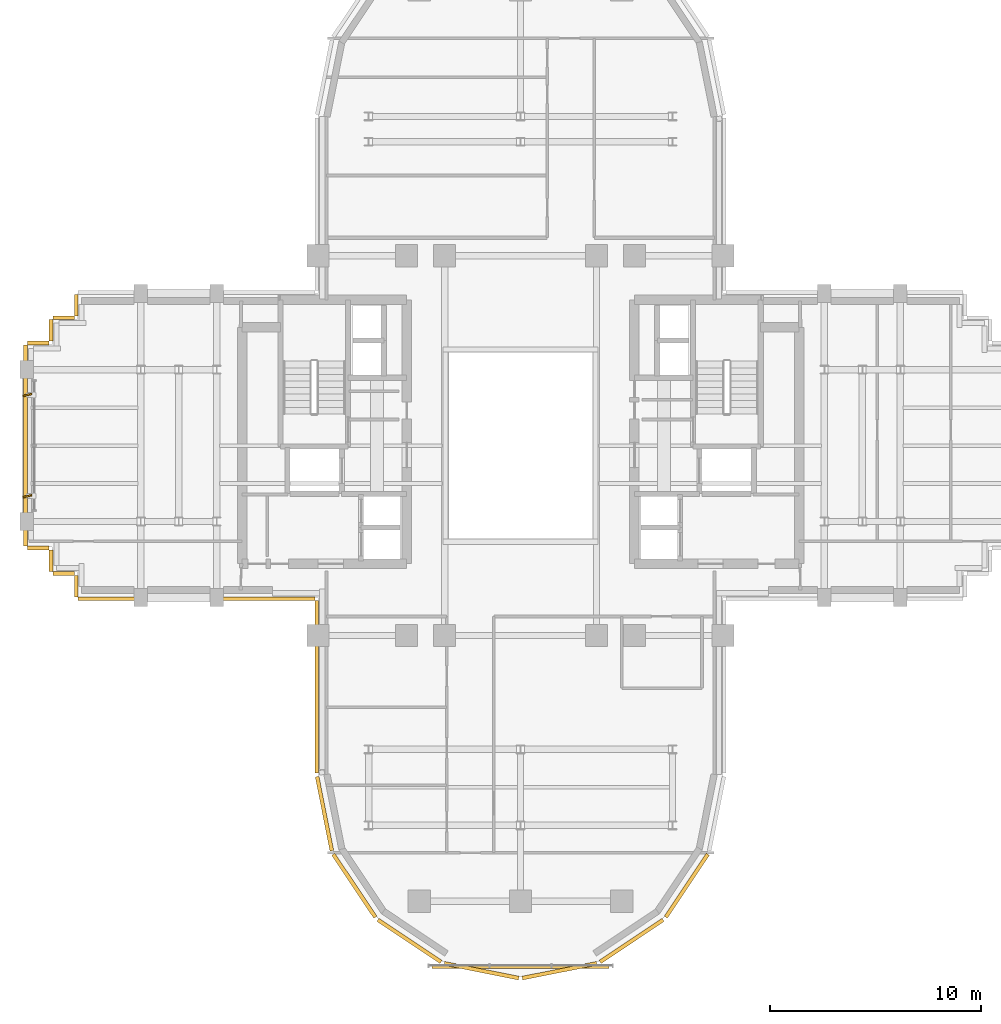
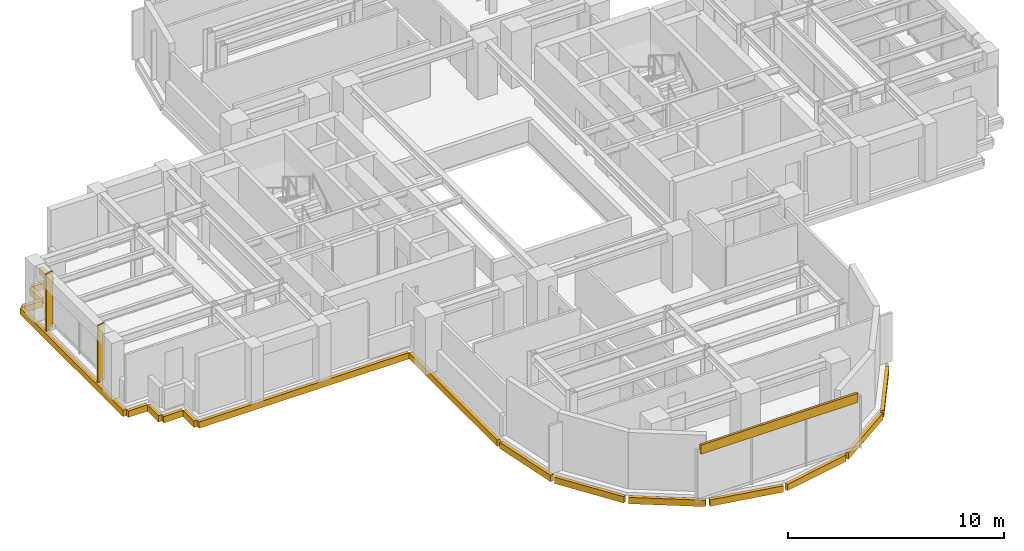
# One storey, part 12 of 14: 19 coverings, 2 shading devices.
"""IFC4 building model written with IfcOpenShell, lengths in metres."""

from ifc_helpers import new_model, si_unit, direction, frame, origin, origin_2d, place, context, subcontext, project, spatial, rectangle, extrude, source, transform, mapped, material, layer, layer_set, type_object, element, save


model = new_model("IFC4")

# Units and contexts
model_context = context("Model", 3, precision=1e-05, world=origin(), true_north=direction((0.0, 1.0)))
body_context = subcontext(model_context, "Body", "Model", "MODEL_VIEW")
ifc_project = project(units=[si_unit("LENGTHUNIT", "METRE"), si_unit("AREAUNIT", "SQUARE_METRE"), si_unit("VOLUMEUNIT", "CUBIC_METRE"), si_unit("PLANEANGLEUNIT", "RADIAN"), si_unit("MASSUNIT", "GRAM", prefix="KILO")], contexts=[model_context])

# Site, building, storey
site_placement = place(None, origin())
site = spatial("IfcSite", under=ifc_project, at=site_placement, CompositionType="ELEMENT")
building_placement = place(site_placement, origin())
building = spatial("IfcBuilding", under=site, at=building_placement, Name="Keilestroom Media Tower", CompositionType="ELEMENT")
storey_placement = place(building_placement, frame((0.0, 0.0, 127.800048828125)))
storey = spatial("IfcBuildingStorey", under=building, at=storey_placement, Name="L34", CompositionType="ELEMENT", Elevation=127.800048828125)

# Covering
ifc_material_1 = material(Name="Precast concrete C40/50", Category="concrete")
ifc_layer = layer(ifc_material_1, 0.1201171875)
ifc_layer_set = layer_set([ifc_layer], Name="Precast concrete C40/50")
covering_type = type_object("IfcCoveringType", Name="Exterior-Precast-Spandrel-Cladding-Panel-120", PredefinedType="CLADDING", material=ifc_layer_set)
shared_shape_1 = source(origin(), body_context, "Body", "SweptSolid", [
    extrude(rectangle(XDim=8.39990234375, YDim=0.1201171875, at=origin_2d()), origin(), (0.0, 0.0, 1.0), 0.52001953125),
])
covering_1_placement = place(storey_placement, frame((0.0, -24.719970703125, 2.68994140625), z_axis=(0.0, 0.0, 1.0), x_axis=(1.0, 0.0, 0.0)))
element("IfcCovering", 1, at=covering_1_placement, inside=storey, type_object=covering_type, Name="L34 Precast Spandrel Cladding S", PredefinedType="CLADDING", context=body_context, shape_type="MappedRepresentation", body=[
    mapped(shared_shape_1, transform((0.0, 0.0, 0.0), x_axis=(1.0, 0.0, 0.0), y_axis=(0.0, 1.0, 0.0), z_axis=(0.0, 0.0, 1.0), scale=1.0)),
])

# Shading devices
ifc_material_2 = material(Name="Bronze Anodised Aluminium", Category="aluminium")
shading_device_type = type_object("IfcShadingDeviceType", Name="Facade-Vertical-Sunshade-Fin-SHD-1", PredefinedType="USERDEFINED", material=ifc_material_2)
shared_shape_2 = source(origin(), body_context, "Body", "SweptSolid", [
    extrude(rectangle(XDim=0.419921875, YDim=0.080078125, at=origin_2d()), origin(), (0.0, 0.0, 1.0), 3.199951171875),
])
for number, where, z_axis, x_axis, name in (
    (2, (-23.3701171875, -2.39990234375, 0.0), (0.0, 0.0, 1.0), (0.972002025815, 0.234972470325, 0.0), "L34 Twisting Sunshade Fin SHD-1 041"),
    (3, (-23.3701171875, 2.39990234375, 0.0), (0.0, 0.0, 1.0), (0.972002025815, 0.234972470325, 0.0), "L34 Twisting Sunshade Fin SHD-1 042"),
):
    element("IfcShadingDevice", number, at=place(storey_placement, frame(where, z_axis=z_axis, x_axis=x_axis)), inside=storey, type_object=shading_device_type, Name=name, ObjectType="SUNSHADE", PredefinedType="USERDEFINED", context=body_context, shape_type="MappedRepresentation", body=[
        mapped(shared_shape_2, transform((0.0, 0.0, 0.0), x_axis=(1.0, 0.0, 0.0), y_axis=(0.0, 1.0, 0.0), z_axis=(0.0, 0.0, 1.0), scale=1.0)),
    ])

# Coverings
shared_shape_3 = source(origin(), body_context, "Body", "SweptSolid", [
    extrude(rectangle(XDim=1.02001953125, YDim=0.179931640625, at=origin_2d()), origin(), (0.0, 0.0, 1.0), 0.360107421875),
])
for number, where, z_axis, x_axis, name in (
    (4, (-21.06005859375, -6.659912109375, -0.5400390625), (0.0, 0.0, 1.0), (0.0, 1.0, 0.0), "L34 Precast Slab-Edge Fascia Cornice 17"),
    (5, (-21.659912109375, -6.06005859375, -0.5400390625), (0.0, 0.0, 1.0), (-1.0, 0.0, 0.0), "L34 Precast Slab-Edge Fascia Cornice 18"),
    (6, (-22.260009765625, -5.4599609375, -0.5400390625), (0.0, 0.0, 1.0), (0.0, 1.0, 0.0), "L34 Precast Slab-Edge Fascia Cornice 19"),
    (7, (-22.860107421875, -4.860107421875, -0.5400390625), (0.0, 0.0, 1.0), (-1.0, 0.0, 0.0), "L34 Precast Slab-Edge Fascia Cornice 20"),
    (8, (-22.860107421875, 4.860107421875, -0.5400390625), (0.0, 0.0, 1.0), (1.0, 0.0, 0.0), "L34 Precast Slab-Edge Fascia Cornice 22"),
    (9, (-22.260009765625, 5.4599609375, -0.5400390625), (0.0, 0.0, 1.0), (0.0, 1.0, 0.0), "L34 Precast Slab-Edge Fascia Cornice 23"),
    (10, (-21.659912109375, 6.06005859375, -0.5400390625), (0.0, 0.0, 1.0), (1.0, 0.0, 0.0), "L34 Precast Slab-Edge Fascia Cornice 24"),
    (11, (-21.06005859375, 6.659912109375, -0.5400390625), (0.0, 0.0, 1.0), (0.0, 1.0, 0.0), "L34 Precast Slab-Edge Fascia Cornice 25"),
):
    element("IfcCovering", number, at=place(storey_placement, frame(where, z_axis=z_axis, x_axis=x_axis)), inside=storey, type_object=covering_type, Name=name, PredefinedType="CLADDING", context=body_context, shape_type="MappedRepresentation", body=[
        mapped(shared_shape_3, transform((0.0, 0.0, 0.0), x_axis=(1.0, 0.0, 0.0), y_axis=(0.0, 1.0, 0.0), z_axis=(0.0, 0.0, 1.0), scale=1.0)),
    ])
shared_shape_4 = source(origin(), body_context, "Body", "SweptSolid", [
    extrude(rectangle(XDim=8.166015625, YDim=0.179931640625, at=origin_2d()), origin(), (0.0, 0.0, 1.0), 0.360107421875),
])
covering_2_placement = place(storey_placement, frame((-9.659912109375, -11.43310546875, -0.5400390625), z_axis=(0.0, 0.0, 1.0), x_axis=(0.0, 1.0, 0.0)))
element("IfcCovering", 12, at=covering_2_placement, inside=storey, type_object=covering_type, Name="L34 Precast Slab-Edge Fascia Cornice 15", PredefinedType="CLADDING", context=body_context, shape_type="MappedRepresentation", body=[
    mapped(shared_shape_4, transform((0.0, 0.0, 0.0), x_axis=(1.0, 0.0, 0.0), y_axis=(0.0, 1.0, 0.0), z_axis=(0.0, 0.0, 1.0), scale=1.0)),
])
shared_shape_5 = source(origin(), body_context, "Body", "SweptSolid", [
    extrude(rectangle(XDim=3.58349609375, YDim=0.179931640625, at=origin_2d()), origin(), (0.0, 0.0, 1.0), 0.360107421875),
])
covering_3_placement = place(storey_placement, frame((-9.29296875, -17.45166015625, -0.5400390625), z_axis=(0.0, 0.0, 1.0), x_axis=(-0.195098880975, 0.980783577882, 0.0)))
element("IfcCovering", 13, at=covering_3_placement, inside=storey, type_object=covering_type, Name="L34 Precast Slab-Edge Fascia Cornice 14", PredefinedType="CLADDING", context=body_context, shape_type="MappedRepresentation", body=[
    mapped(shared_shape_5, transform((0.0, 0.0, 0.0), x_axis=(1.0, 0.0, 0.0), y_axis=(0.0, 1.0, 0.0), z_axis=(0.0, 0.0, 1.0), scale=1.0)),
])
shared_shape_6 = source(origin(), body_context, "Body", "SweptSolid", [
    extrude(rectangle(XDim=3.589599609375, YDim=0.179931640625, at=origin_2d()), origin(), (0.0, 0.0, 1.0), 0.360107421875),
])
for number, where, z_axis, x_axis, name in (
    (14, (7.878662109375, -20.8642578125, -0.5400390625), (0.0, 0.0, 1.0), (-0.555574586577, -0.831466703332, 0.0), "L34 Precast Slab-Edge Fascia Cornice 08"),
    (15, (5.264404296875, -23.478515625, -0.5400390625), (0.0, 0.0, 1.0), (-0.831466703332, -0.555574586577, 0.0), "L34 Precast Slab-Edge Fascia Cornice 09"),
    (16, (1.8486328125, -24.893310546875, -0.5400390625), (0.0, 0.0, 1.0), (-0.980783577882, -0.195098880975, 0.0), "L34 Precast Slab-Edge Fascia Cornice 10"),
    (17, (-1.8486328125, -24.893310546875, -0.5400390625), (0.0, 0.0, 1.0), (-0.980783577882, 0.195098880975, 0.0), "L34 Precast Slab-Edge Fascia Cornice 11"),
    (18, (-5.264404296875, -23.478515625, -0.5400390625), (0.0, 0.0, 1.0), (-0.831466703332, 0.555574586577, 0.0), "L34 Precast Slab-Edge Fascia Cornice 12"),
    (19, (-7.878662109375, -20.8642578125, -0.5400390625), (0.0, 0.0, 1.0), (-0.555574586577, 0.831466703332, 0.0), "L34 Precast Slab-Edge Fascia Cornice 13"),
):
    element("IfcCovering", number, at=place(storey_placement, frame(where, z_axis=z_axis, x_axis=x_axis)), inside=storey, type_object=covering_type, Name=name, PredefinedType="CLADDING", context=body_context, shape_type="MappedRepresentation", body=[
        mapped(shared_shape_6, transform((0.0, 0.0, 0.0), x_axis=(1.0, 0.0, 0.0), y_axis=(0.0, 1.0, 0.0), z_axis=(0.0, 0.0, 1.0), scale=1.0)),
    ])
shared_shape_7 = source(origin(), body_context, "Body", "SweptSolid", [
    extrude(rectangle(XDim=9.5400390625, YDim=0.179931640625, at=origin_2d()), origin(), (0.0, 0.0, 1.0), 0.360107421875),
])
covering_4_placement = place(storey_placement, frame((-23.4599609375, 0.0, -0.5400390625), z_axis=(0.0, 0.0, 1.0), x_axis=(0.0, 1.0, 0.0)))
element("IfcCovering", 20, at=covering_4_placement, inside=storey, type_object=covering_type, Name="L34 Precast Slab-Edge Fascia Cornice 21", PredefinedType="CLADDING", context=body_context, shape_type="MappedRepresentation", body=[
    mapped(shared_shape_7, transform((0.0, 0.0, 0.0), x_axis=(1.0, 0.0, 0.0), y_axis=(0.0, 1.0, 0.0), z_axis=(0.0, 0.0, 1.0), scale=1.0)),
])
shared_shape_8 = source(origin(), body_context, "Body", "SweptSolid", [
    extrude(rectangle(XDim=11.219970703125, YDim=0.179931640625, at=origin_2d()), origin(), (0.0, 0.0, 1.0), 0.360107421875),
])
covering_5_placement = place(storey_placement, frame((-15.360107421875, -7.260009765625, -0.5400390625), z_axis=(0.0, 0.0, 1.0), x_axis=(-1.0, 0.0, 0.0)))
element("IfcCovering", 21, at=covering_5_placement, inside=storey, type_object=covering_type, Name="L34 Precast Slab-Edge Fascia Cornice 16", PredefinedType="CLADDING", context=body_context, shape_type="MappedRepresentation", body=[
    mapped(shared_shape_8, transform((0.0, 0.0, 0.0), x_axis=(1.0, 0.0, 0.0), y_axis=(0.0, 1.0, 0.0), z_axis=(0.0, 0.0, 1.0), scale=1.0)),
])

save(model, "model.ifc")
